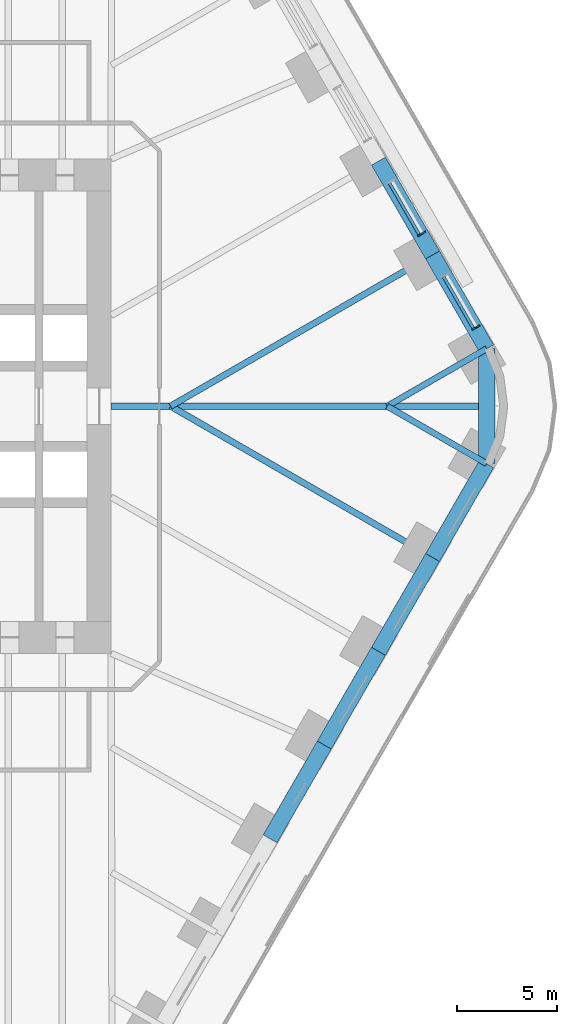
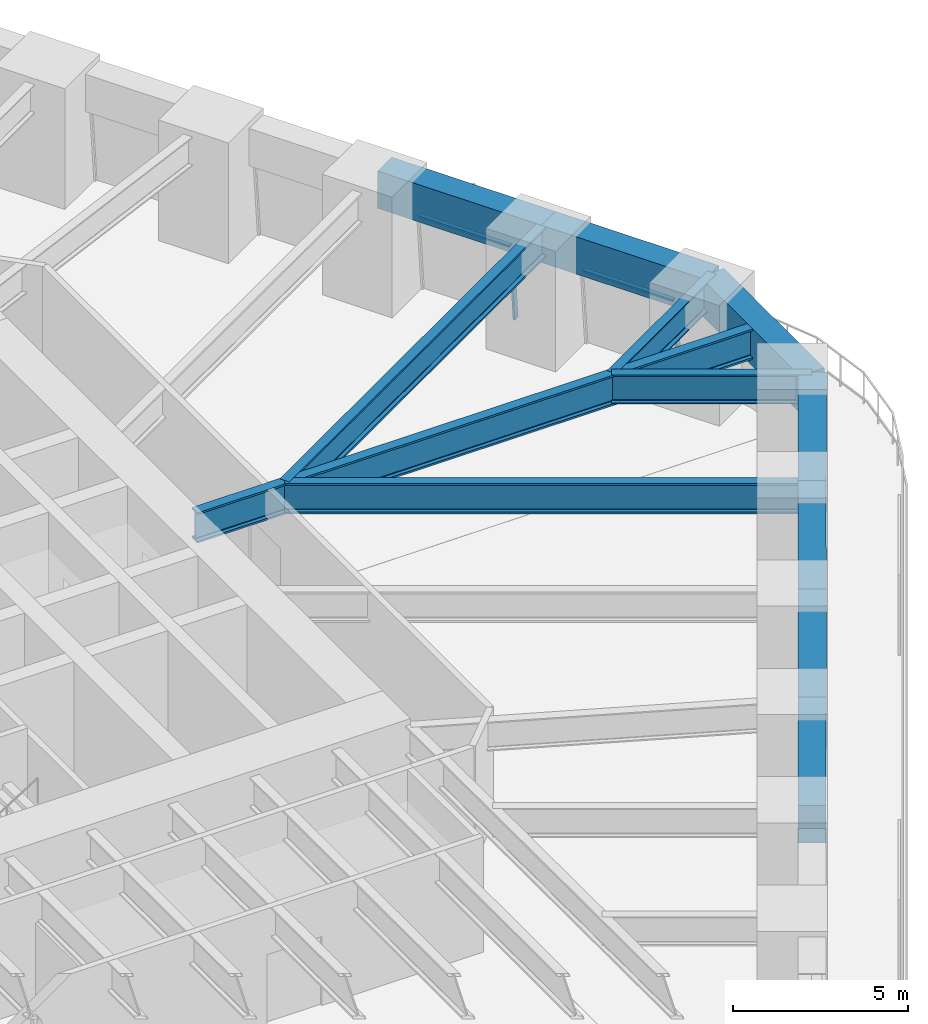
# One storey, part 12 of 23: 12 beams, 4 members, 2 elements without a shape of their own.
"""IFC4 building model written with IfcOpenShell, lengths in metres."""

from ifc_helpers import new_model, si_unit, direction, frame, origin, origin_2d, place, context, subcontext, project, spatial, rectangle, i_section, extrude, material, material_profile, profile_set, type_object, element, aggregate, save


model = new_model("IFC4")

# Units and contexts
model_context = context("Model", 3, precision=1e-05, world=origin(), true_north=direction((0.0, 1.0)))
body_context = subcontext(model_context, "Body", "Model", "MODEL_VIEW")
ifc_project = project(units=[si_unit("LENGTHUNIT", "METRE"), si_unit("AREAUNIT", "SQUARE_METRE"), si_unit("VOLUMEUNIT", "CUBIC_METRE"), si_unit("PLANEANGLEUNIT", "RADIAN"), si_unit("MASSUNIT", "GRAM", prefix="KILO")], contexts=[model_context])

# Site, building, storey
site_placement = place(None, origin())
site = spatial("IfcSite", under=ifc_project, at=site_placement, CompositionType="ELEMENT")
building_placement = place(site_placement, origin())
building = spatial("IfcBuilding", under=site, at=building_placement, Name="Tarfa Lantern Tower", CompositionType="ELEMENT")
storey_placement = place(building_placement, frame((0.0, 0.0, 36.10009765625)))
storey = spatial("IfcBuildingStorey", under=building, at=storey_placement, Name="L07", CompositionType="ELEMENT", Elevation=36.10009765625)

# Curtain wall, member
ifc_material_1 = material(Name="Aluminium framed curtain wall", Category="aluminium")
curtain_wall_type = type_object("IfcCurtainWallType", Name="CW1 CANTED GLAZING LOW ZONE 2700", PredefinedType="USERDEFINED", material=ifc_material_1)
curtain_wall_1_placement = place(storey_placement, origin())
curtain_wall_1 = element("IfcCurtainWall", 1, at=curtain_wall_1_placement, inside=storey, type_object=curtain_wall_type, Name="CW1 NE L07", ObjectType="CURTAIN WALL", PredefinedType="USERDEFINED")
ifc_material_2 = material(Name="Aluminium mullion", Category="aluminium")
ifc_material_profile_1 = material_profile(ifc_material_2, rectangle(XDim=0.06494140625, YDim=0.199951171875, at=origin_2d()), Name="AL MULLION 65x200")
ifc_profile_set_1 = profile_set([ifc_material_profile_1], Name="Aluminium mullion")
member_type_1 = type_object("IfcMemberType", Name="CWM1 MULLION 65x200", PredefinedType="MULLION", material=ifc_profile_set_1)
member_1_placement = place(storey_placement, frame((36.849853515625, 3.97412109375, 0.0), z_axis=(-0.07986442134, -0.046099868913, 0.99573916077), x_axis=(0.499919672301, -0.866071776036, 0.0)))
member_1 = element("IfcMember", 2, at=member_1_placement, type_object=member_type_1, Name="CW1 mullion 1", PredefinedType="MULLION", context=body_context, shape_type="SweptSolid", body=[
    extrude(rectangle(XDim=0.06494140625, YDim=0.199951171875, at=origin_2d()), origin(), (0.0, 0.0, 1.0), 2.71142578125),
])

curtain_wall_2_placement = place(storey_placement, origin())
curtain_wall_2 = element("IfcCurtainWall", 3, at=curtain_wall_2_placement, inside=storey, type_object=curtain_wall_type, Name="CW1 NE L07", ObjectType="CURTAIN WALL", PredefinedType="USERDEFINED")
member_2_placement = place(storey_placement, frame((34.155517578125, 8.640625, 0.0), z_axis=(-0.079774955866, -0.04610020023, 0.995746317068), x_axis=(0.500342721131, -0.865827443207, 0.0)))
member_2 = element("IfcMember", 4, at=member_2_placement, type_object=member_type_1, Name="CW1 mullion 1", PredefinedType="MULLION", context=body_context, shape_type="SweptSolid", body=[
    extrude(rectangle(XDim=0.06494140625, YDim=0.199951171875, at=origin_2d()), origin(), (0.0, 0.0, 1.0), 2.71142578125),
])

# Member
ifc_material_3 = material(Name="Aluminium transom", Category="aluminium")
ifc_material_profile_2 = material_profile(ifc_material_3, rectangle(XDim=0.14990234375, YDim=0.06494140625, at=origin_2d()), Name="AL TRANSOM 150x65")
ifc_profile_set_2 = profile_set([ifc_material_profile_2], Name="Aluminium transom")
member_type_2 = type_object("IfcMemberType", Name="CWT1 TRANSOM 150x65", PredefinedType="USERDEFINED", material=ifc_profile_set_2)
member_3_placement = place(storey_placement, frame((36.619873046875, 3.878662109375, 2.66748046875), z_axis=(-0.50004387232, 0.866000072607, 0.0), x_axis=(-0.866000072607, -0.50004387232, 0.0)))
member_3 = element("IfcMember", 5, at=member_3_placement, type_object=member_type_2, Name="CW1 transom 1.2", ObjectType="TRANSOM", PredefinedType="USERDEFINED", context=body_context, shape_type="SweptSolid", body=[
    extrude(rectangle(XDim=0.14990234375, YDim=0.06494140625, at=origin_2d()), origin(), (0.0, 0.0, 1.0), 2.958740234375),
])

aggregate(curtain_wall_1, [member_1, member_3])

member_4_placement = place(storey_placement, frame((33.925537109375, 8.54541015625, 2.66748046875), z_axis=(-0.50004387232, 0.866000072607, 0.0), x_axis=(-0.866000072607, -0.50004387232, 0.0)))
member_4 = element("IfcMember", 6, at=member_4_placement, type_object=member_type_2, Name="CW1 transom 1.2", ObjectType="TRANSOM", PredefinedType="USERDEFINED", context=body_context, shape_type="SweptSolid", body=[
    extrude(rectangle(XDim=0.14990234375, YDim=0.06494140625, at=origin_2d()), origin(), (0.0, 0.0, 1.0), 2.958740234375),
])

aggregate(curtain_wall_2, [member_2, member_4])

# Beams
ifc_material_4 = material(Name="Concrete C80/95", Category="concrete")
ifc_material_profile_3 = material_profile(ifc_material_4, rectangle(XDim=0.800048828125, YDim=1.300048828125, at=origin_2d()), Name="RC 800x1300")
ifc_profile_set_3 = profile_set([ifc_material_profile_3], Name="Concrete C80/95")
beam_type_1 = type_object("IfcBeamType", Name="EB1 RC 800x1300", PredefinedType="SPANDREL", material=ifc_profile_set_3)
beam_1_placement = place(storey_placement, frame((37.285400390625, 2.860107421875, 3.349853515625), z_axis=(-0.500017906299, 0.866015065331, 0.0), x_axis=(-0.866015065331, -0.500017906299, 0.0)))
element("IfcBeam", 7, at=beam_1_placement, inside=storey, type_object=beam_type_1, Name="Edge beam NE0", PredefinedType="SPANDREL", context=body_context, shape_type="SweptSolid", body=[
    extrude(rectangle(XDim=0.800048828125, YDim=1.300048828125, at=origin_2d()), origin(), (0.0, 0.0, 1.0), 5.388427734375),
])
beam_2_placement = place(storey_placement, frame((34.591064453125, 7.526611328125, 3.349853515625), z_axis=(-0.499998287579, 0.866026392449, 0.0), x_axis=(-0.866026392449, -0.499998287579, 0.0)))
element("IfcBeam", 8, at=beam_2_placement, inside=storey, type_object=beam_type_1, Name="Edge beam NE1", PredefinedType="SPANDREL", context=body_context, shape_type="SweptSolid", body=[
    extrude(rectangle(XDim=0.800048828125, YDim=1.300048828125, at=origin_2d()), origin(), (0.0, 0.0, 1.0), 5.388671875),
])
beam_3_placement = place(storey_placement, frame((26.508056640625, -21.526611328125, 3.349853515625), z_axis=(0.500017906299, 0.866015065331, 0.0), x_axis=(-0.866015065331, 0.500017906299, 0.0)))
element("IfcBeam", 9, at=beam_3_placement, inside=storey, type_object=beam_type_1, Name="Edge beam SE2", PredefinedType="SPANDREL", context=body_context, shape_type="SweptSolid", body=[
    extrude(rectangle(XDim=0.800048828125, YDim=1.300048828125, at=origin_2d()), origin(), (0.0, 0.0, 1.0), 5.388427734375),
])
for number, where, z_axis, x_axis, name in (
    (10, (29.202392578125, -16.860107421875, 3.349853515625), (0.499998287579, 0.866026392449, 0.0), (-0.866026392449, 0.499998287579, 0.0), "Edge beam SE3"),
    (11, (31.896728515625, -12.193359375, 3.349853515625), (0.499998287579, 0.866026392449, 0.0), (-0.866026392449, 0.499998287579, 0.0), "Edge beam SE4"),
):
    element("IfcBeam", number, at=place(storey_placement, frame(where, z_axis=z_axis, x_axis=x_axis)), inside=storey, type_object=beam_type_1, Name=name, PredefinedType="SPANDREL", context=body_context, shape_type="SweptSolid", body=[
        extrude(rectangle(XDim=0.800048828125, YDim=1.300048828125, at=origin_2d()), origin(), (0.0, 0.0, 1.0), 5.388671875),
    ])
beam_4_placement = place(storey_placement, frame((34.591064453125, -7.526611328125, 3.349853515625), z_axis=(0.500017906299, 0.866015065331, 0.0), x_axis=(-0.866015065331, 0.500017906299, 0.0)))
element("IfcBeam", 12, at=beam_4_placement, inside=storey, type_object=beam_type_1, Name="Edge beam SE5", PredefinedType="SPANDREL", context=body_context, shape_type="SweptSolid", body=[
    extrude(rectangle(XDim=0.800048828125, YDim=1.300048828125, at=origin_2d()), origin(), (0.0, 0.0, 1.0), 5.388427734375),
])
beam_5_placement = place(storey_placement, frame((37.285400390625, -2.860107421875, 3.349853515625), z_axis=(0.0, 1.0, 0.0), x_axis=(-1.0, 0.0, 0.0)))
element("IfcBeam", 13, at=beam_5_placement, inside=storey, type_object=beam_type_1, Name="Edge beam SE6", PredefinedType="SPANDREL", context=body_context, shape_type="SweptSolid", body=[
    extrude(rectangle(XDim=0.800048828125, YDim=1.300048828125, at=origin_2d()), origin(), (0.0, 0.0, 1.0), 5.72021484375),
])
ifc_material_5 = material(Name="Steel S460M", Category="steel")
ifc_material_profile_4 = material_profile(ifc_material_5, i_section(OverallWidth=0.302001953125, OverallDepth=1.008056640625, WebThickness=0.02099609375, FlangeThickness=0.0400390625, FilletRadius=0.030029296875, at=origin_2d()), Name="UB1016x305x349")
ifc_profile_set_4 = profile_set([ifc_material_profile_4], Name="Steel S460M")
beam_type_2 = type_object("IfcBeamType", Name="UB1016x305x349", PredefinedType="BEAM", material=ifc_profile_set_4)
for number, where, z_axis, x_axis, name in (
    (14, (37.285400390625, 2.860107421875, 3.495849609375), (-0.866025668288, -0.499999541866, 0.0), (0.499999541866, -0.866025668288, 0.0), "Floor beam NE0"),
    (15, (37.285400390625, -2.860107421875, 3.495849609375), (-0.866025668288, 0.499999541866, 0.0), (-0.499999541866, -0.866025668288, 0.0), "Floor beam SE6"),
):
    element("IfcBeam", number, at=place(storey_placement, frame(where, z_axis=z_axis, x_axis=x_axis)), inside=storey, type_object=beam_type_2, Name=name, PredefinedType="BEAM", context=body_context, shape_type="SweptSolid", body=[
        extrude(i_section(OverallWidth=0.302001953125, OverallDepth=1.008056640625, WebThickness=0.02099609375, FlangeThickness=0.0400390625, FilletRadius=0.030029296875, at=origin_2d()), origin(), (0.0, 0.0, 1.0), 5.72021484375),
    ])
ifc_material_profile_5 = material_profile(ifc_material_5, i_section(OverallWidth=0.314208984375, OverallDepth=1.055908203125, WebThickness=0.035888671875, FlangeThickness=0.06396484375, FilletRadius=0.030029296875, at=origin_2d()), Name="UB1016x305x584")
ifc_profile_set_5 = profile_set([ifc_material_profile_5], Name="Steel S460M")
beam_type_3 = type_object("IfcBeamType", Name="UB1016x305x584", PredefinedType="BEAM", material=ifc_profile_set_5)
beam_6_placement = place(storey_placement, frame((18.60009765625, 0.0, 3.471923828125), z_axis=(1.0, 0.0, 0.0), x_axis=(0.0, 1.0, 0.0)))
element("IfcBeam", 16, at=beam_6_placement, inside=storey, type_object=beam_type_3, Name="Hip girder E", PredefinedType="BEAM", context=body_context, shape_type="SweptSolid", body=[
    extrude(i_section(OverallWidth=0.314208984375, OverallDepth=1.055908203125, WebThickness=0.035888671875, FlangeThickness=0.06396484375, FilletRadius=0.030029296875, at=origin_2d()), origin(), (0.0, 0.0, 1.0), 18.685302734375),
])
for number, where, z_axis, x_axis, name in (
    (17, (34.591064453125, 7.526611328125, 3.471923828125), (-0.86602785945, -0.499995746638, 0.0), (0.499995746638, -0.86602785945, 0.0), "Floor beam NE1"),
    (18, (34.591064453125, -7.526611328125, 3.471923828125), (-0.86602785945, 0.499995746638, 0.0), (-0.499995746638, -0.86602785945, 0.0), "Floor beam SE5"),
):
    element("IfcBeam", number, at=place(storey_placement, frame(where, z_axis=z_axis, x_axis=x_axis)), inside=storey, type_object=beam_type_3, Name=name, PredefinedType="BEAM", context=body_context, shape_type="SweptSolid", body=[
        extrude(i_section(OverallWidth=0.314208984375, OverallDepth=1.055908203125, WebThickness=0.035888671875, FlangeThickness=0.06396484375, FilletRadius=0.030029296875, at=origin_2d()), origin(), (0.0, 0.0, 1.0), 15.053466796875),
    ])

save(model, "model.ifc")
